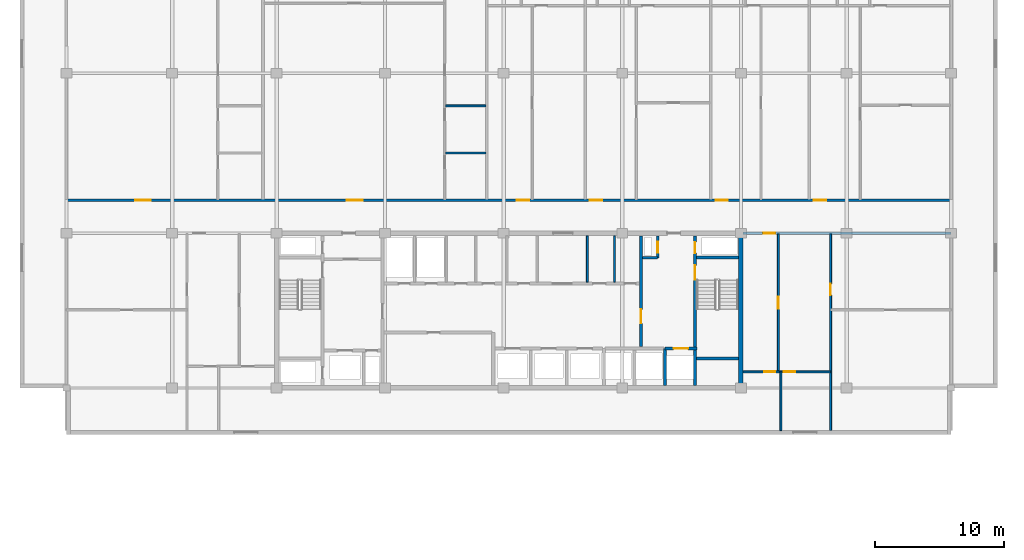
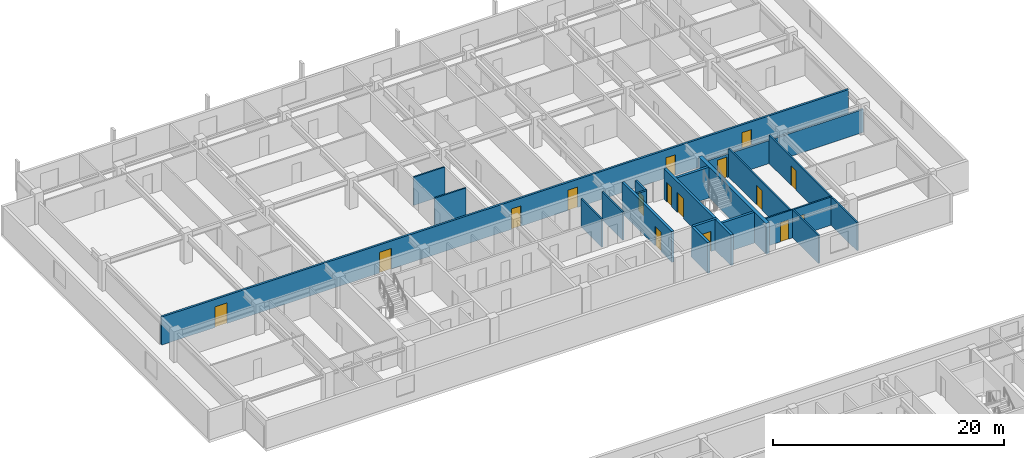
# One storey, part 12 of 21: 19 walls, 16 doors, 16 openings.
"""IFC4 building model written with IfcOpenShell, lengths in metres."""

from ifc_helpers import new_model, si_unit, direction, frame, frame_2d, origin, place, context, subcontext, project, spatial, rectangle, extrude, material, layer, layer_set, type_object, element, fill, save


model = new_model("IFC4")

# Units and contexts
model_context = context("Model", 3, precision=1e-05, world=origin(), true_north=direction((0.0, 1.0)))
body_context = subcontext(model_context, "Body", "Model", "MODEL_VIEW")
ifc_project = project(units=[si_unit("LENGTHUNIT", "METRE"), si_unit("AREAUNIT", "SQUARE_METRE"), si_unit("VOLUMEUNIT", "CUBIC_METRE"), si_unit("PLANEANGLEUNIT", "RADIAN"), si_unit("MASSUNIT", "GRAM", prefix="KILO")], contexts=[model_context])

# Site, building, storey
site_placement = place(None, origin())
site = spatial("IfcSite", under=ifc_project, at=site_placement, CompositionType="ELEMENT")
building_placement = place(site_placement, origin())
building = spatial("IfcBuilding", under=site, at=building_placement, Name="Korimba Cascade Residences", CompositionType="ELEMENT")
storey_placement = place(building_placement, frame((0.0, 0.0, 171.85009765625)))
storey = spatial("IfcBuildingStorey", under=building, at=storey_placement, Name="L49", CompositionType="ELEMENT", Elevation=171.85009765625)

# Wall
ifc_material_1 = material(Name="Concrete C65/80", Category="concrete")
ifc_layer_1 = layer(ifc_material_1, 0.35009765625)
ifc_layer_set_1 = layer_set([ifc_layer_1], Name="Concrete C65/80")
wall_type_1 = type_object("IfcWallType", Name="WAL-CORE-350", PredefinedType="SHEAR", material=ifc_layer_set_1)
wall_1_placement = place(storey_placement, frame((112.074951171875, 55.375, 0.0), z_axis=(0.0, 0.0, 1.0), x_axis=(0.0, 1.0, 0.0)))
element("IfcWall", 1, at=wall_1_placement, inside=storey, type_object=wall_type_1, Name="L49 Core Shear Wall CW-L49-T1-E", PredefinedType="SHEAR", context=body_context, shape_type="SweptSolid", body=[
    extrude(rectangle(XDim=11.64990234375, YDim=0.35009765625, at=frame_2d((5.824951171875, 0.0))), origin(), (0.0, 0.0, 1.0), 3.25),
])

# Wall, opening, door
ifc_material_2 = material(Name="Precast concrete C40/50", Category="concrete")
ifc_layer_2 = layer(ifc_material_2, 0.199951171875)
ifc_layer_set_2 = layer_set([ifc_layer_2], Name="Precast concrete C40/50")
wall_type_2 = type_object("IfcWallType", Name="WAL-IT-200", PredefinedType="PARTITIONING", material=ifc_layer_set_2)
wall_2_placement = place(storey_placement, frame((112.25, 67.199951171875, 0.0), z_axis=(0.0, 0.0, 1.0), x_axis=(1.0, 0.0, 0.0)))
wall_2 = element("IfcWall", 2, at=wall_2_placement, inside=storey, type_object=wall_type_2, Name="L49 Partition Wall WAL-L49-T1-FE-N", PredefinedType="PARTITIONING", context=body_context, shape_type="SweptSolid", body=[
    extrude(rectangle(XDim=16.14990234375, YDim=0.199951171875, at=frame_2d((8.074951171875, 0.0))), origin(), (0.0, 0.0, 1.0), 2.43310546875),
])
opening_1_placement = place(wall_2_placement, frame((1.580078125, 0.0, 0.0)))
opening_1 = element("IfcOpeningElement", 3, at=opening_1_placement, cuts=wall_2, Name="Opening D-UN1", PredefinedType="OPENING", context=body_context, shape_type="SweptSolid", body=[
    extrude(rectangle(XDim=0.949951171875, YDim=2.14990234375, at=frame_2d((0.47509765625, 1.074951171875))), frame((0.0, 0.10986328125, 0.0), z_axis=(0.0, -1.0, 0.0), x_axis=(1.0, 0.0, 0.0)), (0.0, 0.0, 1.0), 0.219970703125),
])
ifc_material_3 = material(Name="Fire-Rated Hardwood Apartment Entrance Door", Category="wood")
door_type_1 = type_object("IfcDoorType", Name="DR-FD60-950", OperationType="NOTDEFINED", PredefinedType="DOOR", material=ifc_material_3)
door_1_placement = place(opening_1_placement, origin())
door_1 = element("IfcDoor", 4, at=door_1_placement, inside=storey, type_object=door_type_1, Name="L49-T1-FE Entrance Door", OperationType="SINGLE_SWING_RIGHT", OverallHeight=2.14990234375, OverallWidth=0.949951171875, PredefinedType="DOOR", context=body_context, shape_type="SweptSolid", body=[
    extrude(rectangle(XDim=0.949951171875, YDim=2.14990234375, at=frame_2d((0.47509765625, 1.074951171875))), frame((0.0, 0.02490234375, 0.0), z_axis=(0.0, -1.0, 0.0), x_axis=(1.0, 0.0, 0.0)), (0.0, 0.0, 1.0), 0.050048828125),
])
fill(opening_1, door_1)

# Wall, openings, doors
wall_3_placement = place(storey_placement, frame((59.800048828125, 69.75, 0.0), z_axis=(0.0, 0.0, 1.0), x_axis=(1.0, 0.0, 0.0)))
wall_3 = element("IfcWall", 5, at=wall_3_placement, inside=storey, type_object=wall_type_2, Name="L49 Partition Wall WAL-L49-T1-CORN", PredefinedType="PARTITIONING", context=body_context, shape_type="SweptSolid", body=[
    extrude(rectangle(XDim=68.599853515625, YDim=0.199951171875, at=frame_2d((34.2998046875, 0.0))), origin(), (0.0, 0.0, 1.0), 2.969970703125),
])
opening_2_placement = place(wall_3_placement, frame((5.32080078125, 0.0, 0.0)))
opening_2 = element("IfcOpeningElement", 6, at=opening_2_placement, cuts=wall_3, Name="Opening D-AM1", PredefinedType="OPENING", context=body_context, shape_type="SweptSolid", body=[
    extrude(rectangle(XDim=1.219970703125, YDim=2.179931640625, at=frame_2d((0.60986328125, 1.08984375))), frame((0.0, 0.10986328125, 0.0), z_axis=(0.0, -1.0, 0.0), x_axis=(1.0, 0.0, 0.0)), (0.0, 0.0, 1.0), 0.219970703125),
])
opening_3_placement = place(wall_3_placement, frame((21.738037109375, 0.0, 0.0)))
opening_3 = element("IfcOpeningElement", 7, at=opening_3_placement, cuts=wall_3, Name="Opening D-AM1", PredefinedType="OPENING", context=body_context, shape_type="SweptSolid", body=[
    extrude(rectangle(XDim=1.219970703125, YDim=2.179931640625, at=frame_2d((0.60986328125, 1.08984375))), frame((0.0, 0.10986328125, 0.0), z_axis=(0.0, -1.0, 0.0), x_axis=(1.0, 0.0, 0.0)), (0.0, 0.0, 1.0), 0.219970703125),
])
opening_4_placement = place(wall_3_placement, frame((34.919189453125, 0.0, 0.0)))
opening_4 = element("IfcOpeningElement", 8, at=opening_4_placement, cuts=wall_3, Name="Opening D-UN1", PredefinedType="OPENING", context=body_context, shape_type="SweptSolid", body=[
    extrude(rectangle(XDim=0.949951171875, YDim=2.14990234375, at=frame_2d((0.47509765625, 1.074951171875))), frame((0.0, 0.10986328125, 0.0), z_axis=(0.0, -1.0, 0.0), x_axis=(1.0, 0.0, 0.0)), (0.0, 0.0, 1.0), 0.219970703125),
])
opening_5_placement = place(wall_3_placement, frame((40.59375, 0.0, 0.0)))
opening_5 = element("IfcOpeningElement", 9, at=opening_5_placement, cuts=wall_3, Name="Opening D-UN1", PredefinedType="OPENING", context=body_context, shape_type="SweptSolid", body=[
    extrude(rectangle(XDim=0.949951171875, YDim=2.14990234375, at=frame_2d((0.47509765625, 1.074951171875))), frame((0.0, 0.10986328125, 0.0), z_axis=(0.0, -1.0, 0.0), x_axis=(1.0, 0.0, 0.0)), (0.0, 0.0, 1.0), 0.219970703125),
])
opening_6_placement = place(wall_3_placement, frame((50.334716796875, 0.0, 0.0)))
opening_6 = element("IfcOpeningElement", 10, at=opening_6_placement, cuts=wall_3, Name="Opening D-UN1", PredefinedType="OPENING", context=body_context, shape_type="SweptSolid", body=[
    extrude(rectangle(XDim=0.949951171875, YDim=2.14990234375, at=frame_2d((0.47509765625, 1.074951171875))), frame((0.0, 0.10986328125, 0.0), z_axis=(0.0, -1.0, 0.0), x_axis=(1.0, 0.0, 0.0)), (0.0, 0.0, 1.0), 0.219970703125),
])
opening_7_placement = place(wall_3_placement, frame((57.953857421875, 0.0, 0.0)))
opening_7 = element("IfcOpeningElement", 11, at=opening_7_placement, cuts=wall_3, Name="Opening D-UN1", PredefinedType="OPENING", context=body_context, shape_type="SweptSolid", body=[
    extrude(rectangle(XDim=0.949951171875, YDim=2.14990234375, at=frame_2d((0.47509765625, 1.074951171875))), frame((0.0, 0.10986328125, 0.0), z_axis=(0.0, -1.0, 0.0), x_axis=(1.0, 0.0, 0.0)), (0.0, 0.0, 1.0), 0.219970703125),
])
ifc_material_4 = material(Name="Fire-Rated Glazed Timber Suite Door", Category="wood")
door_type_2 = type_object("IfcDoorType", Name="DR-FD60-1200", OperationType="NOTDEFINED", PredefinedType="DOOR", material=ifc_material_4)
door_2_placement = place(opening_2_placement, origin())
door_2 = element("IfcDoor", 12, at=door_2_placement, inside=storey, type_object=door_type_2, Name="L49-T1-U01 Business Collaboration Office Door", OperationType="SINGLE_SWING_RIGHT", OverallHeight=2.179931640625, OverallWidth=1.219970703125, PredefinedType="DOOR", context=body_context, shape_type="SweptSolid", body=[
    extrude(rectangle(XDim=1.219970703125, YDim=2.179931640625, at=frame_2d((0.60986328125, 1.08984375))), frame((0.0, 0.02490234375, 0.0), z_axis=(0.0, -1.0, 0.0), x_axis=(1.0, 0.0, 0.0)), (0.0, 0.0, 1.0), 0.050048828125),
])
fill(opening_2, door_2)
door_3_placement = place(opening_3_placement, origin())
door_3 = element("IfcDoor", 13, at=door_3_placement, inside=storey, type_object=door_type_2, Name="L49-T1-U02 Health Consultation Clinic Door", OperationType="SINGLE_SWING_LEFT", OverallHeight=2.179931640625, OverallWidth=1.219970703125, PredefinedType="DOOR", context=body_context, shape_type="SweptSolid", body=[
    extrude(rectangle(XDim=1.219970703125, YDim=2.179931640625, at=frame_2d((0.60986328125, 1.08984375))), frame((0.0, 0.02490234375, 0.0), z_axis=(0.0, -1.0, 0.0), x_axis=(1.0, 0.0, 0.0)), (0.0, 0.0, 1.0), 0.050048828125),
])
fill(opening_3, door_3)
door_4_placement = place(opening_4_placement, origin())
door_4 = element("IfcDoor", 14, at=door_4_placement, inside=storey, type_object=door_type_1, Name="Unit L49-T1-U03 Entrance Door", OperationType="SINGLE_SWING_RIGHT", OverallHeight=2.14990234375, OverallWidth=0.949951171875, PredefinedType="DOOR", context=body_context, shape_type="SweptSolid", body=[
    extrude(rectangle(XDim=0.949951171875, YDim=2.14990234375, at=frame_2d((0.47509765625, 1.074951171875))), frame((0.0, 0.02490234375, 0.0), z_axis=(0.0, -1.0, 0.0), x_axis=(1.0, 0.0, 0.0)), (0.0, 0.0, 1.0), 0.050048828125),
])
fill(opening_4, door_4)
door_5_placement = place(opening_5_placement, origin())
door_5 = element("IfcDoor", 15, at=door_5_placement, inside=storey, type_object=door_type_1, Name="Unit L49-T1-U04 Entrance Door", OperationType="SINGLE_SWING_LEFT", OverallHeight=2.14990234375, OverallWidth=0.949951171875, PredefinedType="DOOR", context=body_context, shape_type="SweptSolid", body=[
    extrude(rectangle(XDim=0.949951171875, YDim=2.14990234375, at=frame_2d((0.47509765625, 1.074951171875))), frame((0.0, 0.02490234375, 0.0), z_axis=(0.0, -1.0, 0.0), x_axis=(1.0, 0.0, 0.0)), (0.0, 0.0, 1.0), 0.050048828125),
])
fill(opening_5, door_5)
door_6_placement = place(opening_6_placement, origin())
door_6 = element("IfcDoor", 16, at=door_6_placement, inside=storey, type_object=door_type_1, Name="Unit L49-T1-U05 Entrance Door", OperationType="SINGLE_SWING_RIGHT", OverallHeight=2.14990234375, OverallWidth=0.949951171875, PredefinedType="DOOR", context=body_context, shape_type="SweptSolid", body=[
    extrude(rectangle(XDim=0.949951171875, YDim=2.14990234375, at=frame_2d((0.47509765625, 1.074951171875))), frame((0.0, 0.02490234375, 0.0), z_axis=(0.0, -1.0, 0.0), x_axis=(1.0, 0.0, 0.0)), (0.0, 0.0, 1.0), 0.050048828125),
])
fill(opening_6, door_6)
door_7_placement = place(opening_7_placement, origin())
door_7 = element("IfcDoor", 17, at=door_7_placement, inside=storey, type_object=door_type_1, Name="Unit L49-T1-U06 Entrance Door", OperationType="SINGLE_SWING_LEFT", OverallHeight=2.14990234375, OverallWidth=0.949951171875, PredefinedType="DOOR", context=body_context, shape_type="SweptSolid", body=[
    extrude(rectangle(XDim=0.949951171875, YDim=2.14990234375, at=frame_2d((0.47509765625, 1.074951171875))), frame((0.0, 0.02490234375, 0.0), z_axis=(0.0, -1.0, 0.0), x_axis=(1.0, 0.0, 0.0)), (0.0, 0.0, 1.0), 0.050048828125),
])
fill(opening_7, door_7)

# Walls
ifc_material_5 = material(Name="Insulated Acoustic Stud Partition", Category="gypsum")
ifc_layer_3 = layer(ifc_material_5, 0.14990234375)
ifc_layer_set_3 = layer_set([ifc_layer_3], Name="Insulated Acoustic Stud Partition")
wall_type_3 = type_object("IfcWallType", Name="WAL-PART-150", PredefinedType="PARTITIONING", material=ifc_layer_set_3)
for number, where, z_axis, x_axis, name in (
    (18, (102.300048828125, 63.39990234375, 0.0), (0.0, 0.0, 1.0), (0.0, 1.0, 0.0), "L49 Partition Wall CW-L49-T1-CA1E1"),
    (19, (100.199951171875, 63.39990234375, 0.0), (0.0, 0.0, 1.0), (0.0, 1.0, 0.0), "L49 Partition Wall CW-L49-T1-THE"),
):
    element("IfcWall", number, at=place(storey_placement, frame(where, z_axis=z_axis, x_axis=x_axis)), inside=storey, type_object=wall_type_3, Name=name, PredefinedType="PARTITIONING", context=body_context, shape_type="SweptSolid", body=[
        extrude(rectangle(XDim=3.60009765625, YDim=0.14990234375, at=frame_2d((1.800048828125, 0.0))), origin(), (0.0, 0.0, 1.0), 2.969970703125),
    ])

# Wall, opening, door
wall_4_placement = place(storey_placement, frame((119.050048828125, 51.89990234375, 0.0), z_axis=(0.0, 0.0, 1.0), x_axis=(0.0, 1.0, 0.0)))
wall_4 = element("IfcWall", 20, at=wall_4_placement, inside=storey, type_object=wall_type_3, Name="L49 Partition Wall WAL-L49-T1-FE-STV", PredefinedType="PARTITIONING", context=body_context, shape_type="SweptSolid", body=[
    extrude(rectangle(XDim=15.25, YDim=0.14990234375, at=frame_2d((7.625, 0.0))), origin(), (0.0, 0.0, 1.0), 2.969970703125),
])
opening_8_placement = place(wall_4_placement, frame((10.5, 0.0, 0.0)))
opening_8 = element("IfcOpeningElement", 21, at=opening_8_placement, cuts=wall_4, Name="Opening D-IN2", PredefinedType="OPENING", context=body_context, shape_type="SweptSolid", body=[
    extrude(rectangle(XDim=0.8798828125, YDim=2.06005859375, at=frame_2d((0.43994140625, 1.030029296875))), frame((0.0, 0.0849609375, 0.0), z_axis=(0.0, -1.0, 0.0), x_axis=(1.0, 0.0, 0.0)), (0.0, 0.0, 1.0), 0.169921875),
])
ifc_material_6 = material(Name="Acoustic Timber Bedroom Door", Category="wood")
door_type_3 = type_object("IfcDoorType", Name="DR-INT-880", OperationType="NOTDEFINED", PredefinedType="DOOR", material=ifc_material_6)
door_8_placement = place(opening_8_placement, origin())
door_8 = element("IfcDoor", 22, at=door_8_placement, inside=storey, type_object=door_type_3, Name="L49-T1-FE Study Door", OperationType="SINGLE_SWING_RIGHT", OverallHeight=2.06005859375, OverallWidth=0.8798828125, PredefinedType="DOOR", context=body_context, shape_type="SweptSolid", body=[
    extrude(rectangle(XDim=0.8798828125, YDim=2.06005859375, at=frame_2d((0.43994140625, 1.030029296875))), frame((0.0, 0.02490234375, 0.0), z_axis=(0.0, -1.0, 0.0), x_axis=(1.0, 0.0, 0.0)), (0.0, 0.0, 1.0), 0.050048828125),
])
fill(opening_8, door_8)

wall_5_placement = place(storey_placement, frame((115.0, 56.449951171875, 0.0), z_axis=(0.0, 0.0, 1.0), x_axis=(0.0, 1.0, 0.0)))
wall_5 = element("IfcWall", 23, at=wall_5_placement, inside=storey, type_object=wall_type_3, Name="L49 Partition Wall WAL-L49-T1-FE-VN", PredefinedType="PARTITIONING", context=body_context, shape_type="SweptSolid", body=[
    extrude(rectangle(XDim=10.699951171875, YDim=0.14990234375, at=frame_2d((5.35009765625, 0.0))), origin(), (0.0, 0.0, 1.0), 2.969970703125),
])
opening_9_placement = place(wall_5_placement, frame((4.889892578125, 0.0, 0.0)))
opening_9 = element("IfcOpeningElement", 24, at=opening_9_placement, cuts=wall_5, Name="Opening D-IN1", PredefinedType="OPENING", context=body_context, shape_type="SweptSolid", body=[
    extrude(rectangle(XDim=0.919921875, YDim=2.080078125, at=frame_2d((0.4599609375, 1.0400390625))), frame((0.0, 0.0849609375, 0.0), z_axis=(0.0, -1.0, 0.0), x_axis=(1.0, 0.0, 0.0)), (0.0, 0.0, 1.0), 0.169921875),
])
ifc_material_7 = material(Name="Acoustic Timber Living Door", Category="wood")
door_type_4 = type_object("IfcDoorType", Name="DR-INT-920", OperationType="NOTDEFINED", PredefinedType="DOOR", material=ifc_material_7)
door_9_placement = place(opening_9_placement, origin())
door_9 = element("IfcDoor", 25, at=door_9_placement, inside=storey, type_object=door_type_4, Name="L49-T1-FE Living Door", OperationType="SINGLE_SWING_LEFT", OverallHeight=2.080078125, OverallWidth=0.919921875, PredefinedType="DOOR", context=body_context, shape_type="SweptSolid", body=[
    extrude(rectangle(XDim=0.919921875, YDim=2.080078125, at=frame_2d((0.4599609375, 1.0400390625))), frame((0.0, 0.02490234375, 0.0), z_axis=(0.0, -1.0, 0.0), x_axis=(1.0, 0.0, 0.0)), (0.0, 0.0, 1.0), 0.050048828125),
])
fill(opening_9, door_9)

# Wall
wall_6_placement = place(storey_placement, frame((115.199951171875, 51.89990234375, 0.0), z_axis=(0.0, 0.0, 1.0), x_axis=(0.0, 1.0, 0.0)))
element("IfcWall", 26, at=wall_6_placement, inside=storey, type_object=wall_type_3, Name="L49 Partition Wall WAL-L49-T1-FE-VS", PredefinedType="PARTITIONING", context=body_context, shape_type="SweptSolid", body=[
    extrude(rectangle(XDim=4.550048828125, YDim=0.14990234375, at=frame_2d((2.27490234375, 0.0))), origin(), (0.0, 0.0, 1.0), 2.969970703125),
])

# Wall, openings, doors
wall_7_placement = place(storey_placement, frame((112.27001953125, 56.449951171875, 0.0), z_axis=(0.0, 0.0, 1.0), x_axis=(1.0, 0.0, 0.0)))
wall_7 = element("IfcWall", 27, at=wall_7_placement, inside=storey, type_object=wall_type_3, Name="L49 Partition Wall WAL-L49-T1-FE-H", PredefinedType="PARTITIONING", context=body_context, shape_type="SweptSolid", body=[
    extrude(rectangle(XDim=6.760009765625, YDim=0.14990234375, at=frame_2d((3.3798828125, 0.0))), origin(), (0.0, 0.0, 1.0), 2.969970703125),
])
opening_10_placement = place(wall_7_placement, frame((1.6396484375, 0.0, 0.0)))
opening_10 = element("IfcOpeningElement", 28, at=opening_10_placement, cuts=wall_7, Name="Opening D-BT1", PredefinedType="OPENING", context=body_context, shape_type="SweptSolid", body=[
    extrude(rectangle(XDim=0.840087890625, YDim=2.0400390625, at=frame_2d((0.419921875, 1.02001953125))), frame((0.0, 0.0849609375, 0.0), z_axis=(0.0, -1.0, 0.0), x_axis=(1.0, 0.0, 0.0)), (0.0, 0.0, 1.0), 0.169921875),
])
opening_11_placement = place(wall_7_placement, frame((3.160400390625, 0.0, 0.0)))
opening_11 = element("IfcOpeningElement", 29, at=opening_11_placement, cuts=wall_7, Name="Opening D-IN2", PredefinedType="OPENING", context=body_context, shape_type="SweptSolid", body=[
    extrude(rectangle(XDim=0.8798828125, YDim=2.06005859375, at=frame_2d((0.43994140625, 1.030029296875))), frame((0.0, 0.0849609375, 0.0), z_axis=(0.0, -1.0, 0.0), x_axis=(1.0, 0.0, 0.0)), (0.0, 0.0, 1.0), 0.169921875),
])
ifc_material_8 = material(Name="Moisture-Resistant Bathroom Timber Door", Category="wood")
door_type_5 = type_object("IfcDoorType", Name="DR-INT-850", OperationType="NOTDEFINED", PredefinedType="DOOR", material=ifc_material_8)
door_10_placement = place(opening_10_placement, origin())
door_10 = element("IfcDoor", 30, at=door_10_placement, inside=storey, type_object=door_type_5, Name="L49-T1-FE Bathroom Door", OperationType="SINGLE_SWING_RIGHT", OverallHeight=2.0400390625, OverallWidth=0.840087890625, PredefinedType="DOOR", context=body_context, shape_type="SweptSolid", body=[
    extrude(rectangle(XDim=0.840087890625, YDim=2.0400390625, at=frame_2d((0.419921875, 1.02001953125))), frame((0.0, 0.02490234375, 0.0), z_axis=(0.0, -1.0, 0.0), x_axis=(1.0, 0.0, 0.0)), (0.0, 0.0, 1.0), 0.050048828125),
])
fill(opening_10, door_10)
door_11_placement = place(opening_11_placement, origin())
door_11 = element("IfcDoor", 31, at=door_11_placement, inside=storey, type_object=door_type_3, Name="L49-T1-FE Bedroom Door", OperationType="SINGLE_SWING_LEFT", OverallHeight=2.06005859375, OverallWidth=0.8798828125, PredefinedType="DOOR", context=body_context, shape_type="SweptSolid", body=[
    extrude(rectangle(XDim=0.8798828125, YDim=2.06005859375, at=frame_2d((0.43994140625, 1.030029296875))), frame((0.0, 0.02490234375, 0.0), z_axis=(0.0, -1.0, 0.0), x_axis=(1.0, 0.0, 0.0)), (0.0, 0.0, 1.0), 0.050048828125),
])
fill(opening_11, door_11)

# Walls
for number, where, z_axis, x_axis, name in (
    (32, (89.194580078125, 73.419921875, 0.0), (0.0, 0.0, 1.0), (1.0, 0.0, 0.0), "L49 Partition Wall WAL-L49-T1-U02-WCH"),
    (33, (89.194580078125, 77.070068359375, 0.0), (0.0, 0.0, 1.0), (1.0, 0.0, 0.0), "L49 Partition Wall WAL-L49-T1-U02-WCH2"),
):
    element("IfcWall", number, at=place(storey_placement, frame(where, z_axis=z_axis, x_axis=x_axis)), inside=storey, type_object=wall_type_3, Name=name, PredefinedType="PARTITIONING", context=body_context, shape_type="SweptSolid", body=[
        extrude(rectangle(XDim=3.130126953125, YDim=0.14990234375, at=frame_2d((1.56494140625, 0.0))), origin(), (0.0, 0.0, 1.0), 2.969970703125),
    ])
ifc_material_9 = material(Name="Concrete C40/50", Category="concrete")
ifc_layer_4 = layer(ifc_material_9, 0.199951171875)
ifc_layer_set_4 = layer_set([ifc_layer_4], Name="Concrete C40/50")
wall_type_4 = type_object("IfcWallType", Name="WAL-PART-200", PredefinedType="PARTITIONING", material=ifc_layer_set_4)
wall_8_placement = place(storey_placement, frame((104.449951171875, 65.280029296875, 0.0), z_axis=(0.0, 0.0, 1.0), x_axis=(1.0, 0.0, 0.0)))
element("IfcWall", 34, at=wall_8_placement, inside=storey, type_object=wall_type_4, Name="L49 Partition Wall CW-L49-T1-HYDW2S", PredefinedType="PARTITIONING", context=body_context, shape_type="SweptSolid", body=[
    extrude(rectangle(XDim=1.199951171875, YDim=0.199951171875, at=frame_2d((0.60009765625, 0.0))), origin(), (0.0, 0.0, 1.0), 2.969970703125),
])

# Wall, opening, door
wall_9_placement = place(storey_placement, frame((105.64990234375, 65.280029296875, 0.0), z_axis=(0.0, 0.0, 1.0), x_axis=(0.0, 1.0, 0.0)))
wall_9 = element("IfcWall", 35, at=wall_9_placement, inside=storey, type_object=wall_type_4, Name="L49 Partition Wall CW-L49-T1-HYDW2E", PredefinedType="PARTITIONING", context=body_context, shape_type="SweptSolid", body=[
    extrude(rectangle(XDim=1.719970703125, YDim=0.199951171875, at=frame_2d((0.85986328125, 0.0))), origin(), (0.0, 0.0, 1.0), 2.969970703125),
])
opening_12_placement = place(wall_9_placement, frame((0.39990234375, 0.0, 0.0)))
opening_12 = element("IfcOpeningElement", 36, at=opening_12_placement, cuts=wall_9, Name="Opening D-RS1", PredefinedType="OPENING", context=body_context, shape_type="SweptSolid", body=[
    extrude(rectangle(XDim=0.85009765625, YDim=2.050048828125, at=frame_2d((0.425048828125, 1.02490234375))), frame((0.0, 0.10986328125, 0.0), z_axis=(0.0, -1.0, 0.0), x_axis=(1.0, 0.0, 0.0)), (0.0, 0.0, 1.0), 0.219970703125),
])
ifc_material_10 = material(Name="Fire-Rated Steel Riser Access Door", Category="steel")
door_type_6 = type_object("IfcDoorType", Name="DR-FD60-850", OperationType="NOTDEFINED", PredefinedType="DOOR", material=ifc_material_10)
door_12_placement = place(opening_12_placement, origin())
door_12 = element("IfcDoor", 37, at=door_12_placement, inside=storey, type_object=door_type_6, Name="L49 East Hydrant Door", OperationType="SINGLE_SWING_LEFT", OverallHeight=2.050048828125, OverallWidth=0.85009765625, PredefinedType="DOOR", context=body_context, shape_type="SweptSolid", body=[
    extrude(rectangle(XDim=0.85009765625, YDim=2.050048828125, at=frame_2d((0.425048828125, 1.02490234375))), frame((0.0, 0.02490234375, 0.0), z_axis=(0.0, -1.0, 0.0), x_axis=(1.0, 0.0, 0.0)), (0.0, 0.0, 1.0), 0.050048828125),
])
fill(opening_12, door_12)

# Wall
ifc_material_11 = material(Name="Concrete C50/60", Category="concrete")
ifc_layer_5 = layer(ifc_material_11, 0.25)
ifc_layer_set_5 = layer_set([ifc_layer_5], Name="Concrete C50/60")
wall_type_5 = type_object("IfcWallType", Name="WAL-SHAFT-250", PredefinedType="SHEAR", material=ifc_layer_set_5)
wall_10_placement = place(storey_placement, frame((106.219970703125, 55.39990234375, 0.0), z_axis=(0.0, 0.0, 1.0), x_axis=(0.0, 1.0, 0.0)))
element("IfcWall", 38, at=wall_10_placement, inside=storey, type_object=wall_type_5, Name="L49 Core Shear Wall CW-L49-T1-FF2W", PredefinedType="SHEAR", context=body_context, shape_type="SweptSolid", body=[
    extrude(rectangle(XDim=2.85009765625, YDim=0.25, at=frame_2d((1.425048828125, 0.0))), origin(), (0.0, 0.0, 1.0), 3.25),
])

# Wall, opening, door
wall_11_placement = place(storey_placement, frame((106.219970703125, 58.25, 0.0), z_axis=(0.0, 0.0, 1.0), x_axis=(1.0, 0.0, 0.0)))
wall_11 = element("IfcWall", 39, at=wall_11_placement, inside=storey, type_object=wall_type_5, Name="L49 Core Shear Wall CW-L49-T1-FF2N", PredefinedType="SHEAR", context=body_context, shape_type="SweptSolid", body=[
    extrude(rectangle(XDim=2.4599609375, YDim=0.25, at=frame_2d((1.22998046875, 0.0))), origin(), (0.0, 0.0, 1.0), 3.25),
])
opening_13_placement = place(wall_11_placement, frame((0.669921875, 0.0, 0.0)))
opening_13 = element("IfcOpeningElement", 40, at=opening_13_placement, cuts=wall_11, Name="Opening LD-01", PredefinedType="OPENING", context=body_context, shape_type="SweptSolid", body=[
    extrude(rectangle(XDim=1.1201171875, YDim=2.1201171875, at=frame_2d((0.56005859375, 1.06005859375))), frame((0.0, 0.135009765625, 0.0), z_axis=(0.0, -1.0, 0.0), x_axis=(1.0, 0.0, 0.0)), (0.0, 0.0, 1.0), 0.27001953125),
])
ifc_material_12 = material(Name="Stainless Steel Lift Landing Sliding Door", Category="steel")
door_type_7 = type_object("IfcDoorType", Name="DR-LIFT-1100", OperationType="NOTDEFINED", PredefinedType="DOOR", material=ifc_material_12)
door_13_placement = place(opening_13_placement, origin())
door_13 = element("IfcDoor", 41, at=door_13_placement, inside=storey, type_object=door_type_7, Name="L49 Firefighting Lift Landing Door FFL-W2", OperationType="SLIDING_TO_RIGHT", OverallHeight=2.1201171875, OverallWidth=1.1201171875, PredefinedType="DOOR", context=body_context, shape_type="SweptSolid", body=[
    extrude(rectangle(XDim=1.1201171875, YDim=2.1201171875, at=frame_2d((0.56005859375, 1.06005859375))), frame((0.0, 0.02490234375, 0.0), z_axis=(0.0, -1.0, 0.0), x_axis=(1.0, 0.0, 0.0)), (0.0, 0.0, 1.0), 0.050048828125),
])
fill(opening_13, door_13)

wall_12_placement = place(storey_placement, frame((104.35009765625, 58.39990234375, 0.0), z_axis=(0.0, 0.0, 1.0), x_axis=(0.0, 1.0, 0.0)))
wall_12 = element("IfcWall", 42, at=wall_12_placement, inside=storey, type_object=wall_type_5, Name="L49 Core Shear Wall CW-L49-T1-LLEV", PredefinedType="SHEAR", context=body_context, shape_type="SweptSolid", body=[
    extrude(rectangle(XDim=8.60009765625, YDim=0.25, at=frame_2d((4.300048828125, 0.0))), origin(), (0.0, 0.0, 1.0), 3.25),
])
opening_14_placement = place(wall_12_placement, frame((1.800048828125, 0.0, 0.0)))
opening_14 = element("IfcOpeningElement", 43, at=opening_14_placement, cuts=wall_12, Name="Opening D-FD1", PredefinedType="OPENING", context=body_context, shape_type="SweptSolid", body=[
    extrude(rectangle(XDim=1.10009765625, YDim=2.10009765625, at=frame_2d((0.550048828125, 1.050048828125))), frame((0.0, 0.135009765625, 0.0), z_axis=(0.0, -1.0, 0.0), x_axis=(1.0, 0.0, 0.0)), (0.0, 0.0, 1.0), 0.27001953125),
])
ifc_material_13 = material(Name="Fire-Rated Steel Core Door", Category="steel")
door_type_8 = type_object("IfcDoorType", Name="DR-FD120-1100", OperationType="NOTDEFINED", PredefinedType="DOOR", material=ifc_material_13)
door_14_placement = place(opening_14_placement, origin())
door_14 = element("IfcDoor", 44, at=door_14_placement, inside=storey, type_object=door_type_8, Name="L49 Lift Lobby to East Firefighting Lobby Door", OperationType="SINGLE_SWING_RIGHT", OverallHeight=2.10009765625, OverallWidth=1.10009765625, PredefinedType="DOOR", context=body_context, shape_type="SweptSolid", body=[
    extrude(rectangle(XDim=1.10009765625, YDim=2.10009765625, at=frame_2d((0.550048828125, 1.050048828125))), frame((0.0, 0.02490234375, 0.0), z_axis=(0.0, -1.0, 0.0), x_axis=(1.0, 0.0, 0.0)), (0.0, 0.0, 1.0), 0.050048828125),
])
fill(opening_14, door_14)

# Wall, openings, doors
wall_13_placement = place(storey_placement, frame((108.534912109375, 55.39990234375, 0.0), z_axis=(0.0, 0.0, 1.0), x_axis=(0.0, 1.0, 0.0)))
wall_13 = element("IfcWall", 45, at=wall_13_placement, inside=storey, type_object=wall_type_5, Name="L49 Core Shear Wall CW-L49-T1-STW2W", PredefinedType="SHEAR", context=body_context, shape_type="SweptSolid", body=[
    extrude(rectangle(XDim=11.60009765625, YDim=0.25, at=frame_2d((5.800048828125, 0.0))), origin(), (0.0, 0.0, 1.0), 3.25),
])
opening_15_placement = place(wall_13_placement, frame((8.199951171875, 0.0, 0.0)))
opening_15 = element("IfcOpeningElement", 46, at=opening_15_placement, cuts=wall_13, Name="Opening D-FD1", PredefinedType="OPENING", context=body_context, shape_type="SweptSolid", body=[
    extrude(rectangle(XDim=1.10009765625, YDim=2.10009765625, at=frame_2d((0.550048828125, 1.050048828125))), frame((0.0, 0.135009765625, 0.0), z_axis=(0.0, -1.0, 0.0), x_axis=(1.0, 0.0, 0.0)), (0.0, 0.0, 1.0), 0.27001953125),
])
opening_16_placement = place(wall_13_placement, frame((10.25, 0.0, 0.0)))
opening_16 = element("IfcOpeningElement", 47, at=opening_16_placement, cuts=wall_13, Name="Opening D-RS1", PredefinedType="OPENING", context=body_context, shape_type="SweptSolid", body=[
    extrude(rectangle(XDim=0.85009765625, YDim=2.050048828125, at=frame_2d((0.425048828125, 1.02490234375))), frame((0.0, 0.135009765625, 0.0), z_axis=(0.0, -1.0, 0.0), x_axis=(1.0, 0.0, 0.0)), (0.0, 0.0, 1.0), 0.27001953125),
])
door_15_placement = place(opening_15_placement, origin())
door_15 = element("IfcDoor", 48, at=door_15_placement, inside=storey, type_object=door_type_8, Name="L49 Fire Stair ST-W2 Door", OperationType="SINGLE_SWING_LEFT", OverallHeight=2.10009765625, OverallWidth=1.10009765625, PredefinedType="DOOR", context=body_context, shape_type="SweptSolid", body=[
    extrude(rectangle(XDim=1.10009765625, YDim=2.10009765625, at=frame_2d((0.550048828125, 1.050048828125))), frame((0.0, 0.02490234375, 0.0), z_axis=(0.0, -1.0, 0.0), x_axis=(1.0, 0.0, 0.0)), (0.0, 0.0, 1.0), 0.050048828125),
])
fill(opening_15, door_15)
door_16_placement = place(opening_16_placement, origin())
door_16 = element("IfcDoor", 49, at=door_16_placement, inside=storey, type_object=door_type_6, Name="L49 East Riser Door", OperationType="SINGLE_SWING_RIGHT", OverallHeight=2.050048828125, OverallWidth=0.85009765625, PredefinedType="DOOR", context=body_context, shape_type="SweptSolid", body=[
    extrude(rectangle(XDim=0.85009765625, YDim=2.050048828125, at=frame_2d((0.425048828125, 1.02490234375))), frame((0.0, 0.02490234375, 0.0), z_axis=(0.0, -1.0, 0.0), x_axis=(1.0, 0.0, 0.0)), (0.0, 0.0, 1.0), 0.050048828125),
])
fill(opening_16, door_16)

# Walls
for number, where, z_axis, x_axis, name in (
    (50, (108.659912109375, 57.47509765625, 0.0), (0.0, 0.0, 1.0), (1.0, 0.0, 0.0), "L49 Core Shear Wall CW-L49-T1-STW2S"),
    (51, (108.659912109375, 65.324951171875, 0.0), (0.0, 0.0, 1.0), (1.0, 0.0, 0.0), "L49 Core Shear Wall CW-L49-T1-STW2N"),
):
    element("IfcWall", number, at=place(storey_placement, frame(where, z_axis=z_axis, x_axis=x_axis)), inside=storey, type_object=wall_type_5, Name=name, PredefinedType="SHEAR", context=body_context, shape_type="SweptSolid", body=[
        extrude(rectangle(XDim=3.239990234375, YDim=0.25, at=frame_2d((1.6201171875, 0.0))), origin(), (0.0, 0.0, 1.0), 3.25),
    ])

save(model, "model.ifc")
